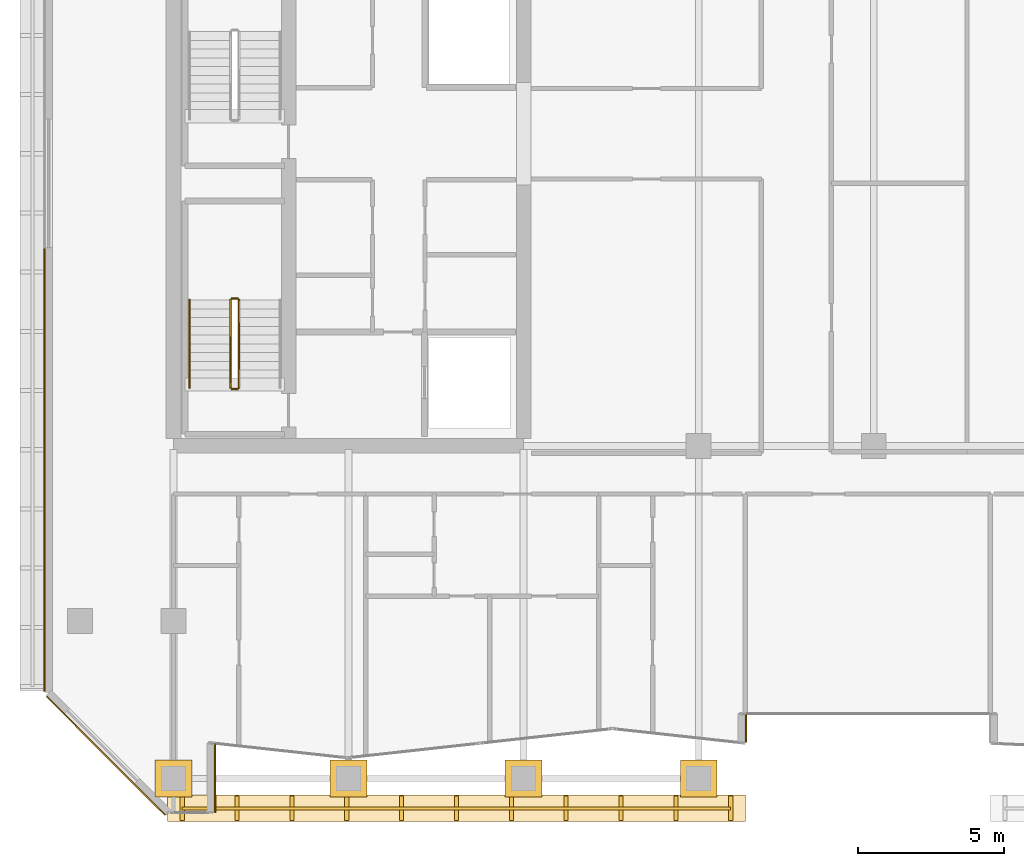
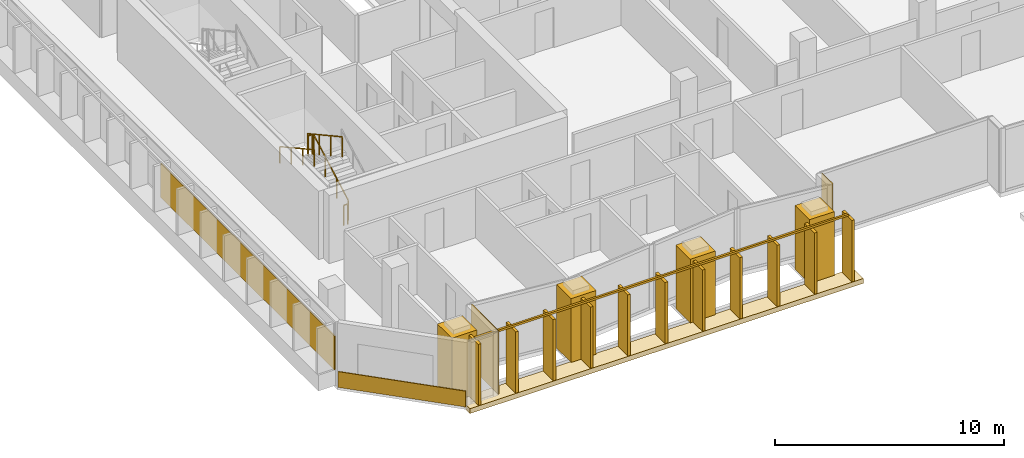
# One storey, part 25 of 29: 9 coverings, 6 railings.
"""IFC4 building model written with IfcOpenShell, lengths in metres."""

from ifc_helpers import new_model, si_unit, direction, frame, origin, origin_2d, place, context, subcontext, project, spatial, rectangle, extrude, material, layer, layer_set, type_object, element, save


model = new_model("IFC4")

# Units and contexts
model_context = context("Model", 3, precision=1e-05, world=origin(), true_north=direction((0.0, 1.0)))
body_context = subcontext(model_context, "Body", "Model", "MODEL_VIEW")
ifc_project = project(units=[si_unit("LENGTHUNIT", "METRE"), si_unit("AREAUNIT", "SQUARE_METRE"), si_unit("VOLUMEUNIT", "CUBIC_METRE"), si_unit("PLANEANGLEUNIT", "RADIAN"), si_unit("MASSUNIT", "GRAM", prefix="KILO")], contexts=[model_context])

# Site, building, storey
site_placement = place(None, origin())
site = spatial("IfcSite", under=ifc_project, at=site_placement, CompositionType="ELEMENT")
building_placement = place(site_placement, origin())
building = spatial("IfcBuilding", under=site, at=building_placement, Name="Tanjung Sevakor Pilgrim Tower", CompositionType="ELEMENT")
storey_placement = place(building_placement, frame((0.0, 0.0, 162.030029296875)))
storey = spatial("IfcBuildingStorey", under=building, at=storey_placement, Name="L45", CompositionType="ELEMENT", Elevation=162.030029296875)

# Coverings
ifc_material_1 = material(Name="Reconstructed Limestone Cladding", Category="masonry")
ifc_layer = layer(ifc_material_1, 0.044921875)
ifc_layer_set = layer_set([ifc_layer], Name="COV-CLAD-LIMESTONE")
covering_type = type_object("IfcCoveringType", Name="COV-CLAD-LIMESTONE", PredefinedType="CLADDING", material=ifc_layer_set)
covering_1_placement = place(storey_placement, frame((25.422607421875, 13.22216796875, 0.02001953125), z_axis=(0.0, 0.0, 1.0), x_axis=(0.0, 1.0, 0.0)))
element("IfcCovering", 1, at=covering_1_placement, inside=storey, type_object=covering_type, Name="L45 Warm Limestone Wall Cladding EW-L45-MAIN-2", PredefinedType="CLADDING", context=body_context, shape_type="SweptSolid", body=[
    extrude(rectangle(XDim=2.3544921875, YDim=0.044921875, at=origin_2d()), origin(), (0.0, 0.0, 1.0), 3.3701171875),
])
covering_2_placement = place(storey_placement, frame((43.62255859375, 14.92236328125, 0.02001953125), z_axis=(0.0, 0.0, 1.0), x_axis=(0.0, 1.0, 0.0)))
element("IfcCovering", 2, at=covering_2_placement, inside=storey, type_object=covering_type, Name="L45 Warm Limestone Wall Cladding EW-L45-MAIN-7", PredefinedType="CLADDING", context=body_context, shape_type="SweptSolid", body=[
    extrude(rectangle(XDim=0.965576171875, YDim=0.044921875, at=origin_2d()), origin(), (0.0, 0.0, 1.0), 3.3701171875),
])
covering_3_placement = place(storey_placement, frame((19.577392578125, 23.77099609375, 0.849853515625), z_axis=(0.0, 0.0, 1.0), x_axis=(0.0, -1.0, 0.0)))
element("IfcCovering", 3, at=covering_3_placement, inside=storey, type_object=covering_type, Name="L45 Warm Limestone Pier Panel EW-L45-MAIN-35-2", PredefinedType="CLADDING", context=body_context, shape_type="SweptSolid", body=[
    extrude(rectangle(XDim=15.158203125, YDim=0.044921875, at=origin_2d()), origin(), (0.0, 0.0, 1.0), 1.81005859375),
])
covering_4_placement = place(storey_placement, frame((21.68408203125, 13.984130859375, 0.009765625), z_axis=(0.0, 0.0, 1.0), x_axis=(0.707106781187, -0.707106781187, 0.0)))
element("IfcCovering", 4, at=covering_4_placement, inside=storey, type_object=covering_type, Name="L45 Warm Limestone Sill Spandrel EW-CHM-L45-MAIN-35-1", PredefinedType="CLADDING", context=body_context, shape_type="SweptSolid", body=[
    extrude(rectangle(XDim=5.756103515625, YDim=0.044921875, at=origin_2d()), origin(), (0.0, 0.0, 1.0), 0.840087890625),
])
for number, where, z_axis, x_axis, name in (
    (5, (24.0, 13.199951171875, 0.01025390625), (0.0, 0.0, 1.0), (1.0, 0.0, 0.0), "L45 Colonnade Pier Limestone Casing 21"),
    (6, (30.0, 13.199951171875, 0.01025390625), (0.0, 0.0, 1.0), (1.0, 0.0, 0.0), "L45 Colonnade Pier Limestone Casing 23"),
    (7, (36.0, 13.199951171875, 0.01025390625), (0.0, 0.0, 1.0), (1.0, 0.0, 0.0), "L45 Colonnade Pier Limestone Casing 25"),
    (8, (42.0, 13.199951171875, 0.01025390625), (0.0, 0.0, 1.0), (1.0, 0.0, 0.0), "L45 Colonnade Pier Limestone Casing 27"),
):
    element("IfcCovering", number, at=place(storey_placement, frame(where, z_axis=z_axis, x_axis=x_axis)), inside=storey, type_object=covering_type, Name=name, PredefinedType="CLADDING", context=body_context, shape_type="SweptSolid", body=[
        extrude(rectangle(XDim=1.260009765625, YDim=1.260009765625, at=origin_2d()), origin(), (0.0, 0.0, 1.0), 3.389892578125),
    ])
covering_5_placement = place(storey_placement, frame((33.699951171875, 12.179931640625, -0.25), z_axis=(0.0, 0.0, 1.0), x_axis=(1.0, 0.0, 0.0)))
element("IfcCovering", 9, at=covering_5_placement, inside=storey, type_object=covering_type, Name="L45 S-Curve Outer Fin Tie Sill SW", PredefinedType="CLADDING", context=body_context, shape_type="SweptSolid", body=[
    extrude(rectangle(XDim=19.800048828125, YDim=0.89990234375, at=origin_2d()), origin(), (0.0, 0.0, 1.0), 0.260009765625),
])

# Railings
ifc_material_2 = material(Name="Anodised Bronze Aluminium 6063-T6", Category="aluminium")
railing_type_1 = type_object("IfcRailingType", Name="RL-FIN-SCREEN", PredefinedType="BALUSTRADE", material=ifc_material_2)
railing_1_placement = place(storey_placement, frame((24.300048828125, 12.179931640625, 0.0)))
element("IfcRailing", 10, at=railing_1_placement, inside=storey, type_object=railing_type_1, Name="L45 Vertical Bronze-Gold Solar Fin Screen FN-SCGAP-L45-SW-1", PredefinedType="BALUSTRADE", context=body_context, shape_type="SweptSolid", body=[
    extrude(rectangle(XDim=0.105, YDim=0.105), frame((0.0, 0.0, 3.317626953125), z_axis=(1.0, 0.0, 0.0), x_axis=(0.0, 1.0, 0.0)), (0.0, 0.0, 1.0), 18.800048828125),
    extrude(rectangle(XDim=0.14, YDim=0.85), origin(), (0.0, 0.0, 1.0), 3.26513671875),
    extrude(rectangle(XDim=0.14, YDim=0.85), frame((1.8798828125, 0.0, 0.0)), (0.0, 0.0, 1.0), 3.26513671875),
    extrude(rectangle(XDim=0.14, YDim=0.85), frame((3.760009765625, 0.0, 0.0)), (0.0, 0.0, 1.0), 3.26513671875),
    extrude(rectangle(XDim=0.14, YDim=0.85), frame((5.64013671875, 0.0, 0.0)), (0.0, 0.0, 1.0), 3.26513671875),
    extrude(rectangle(XDim=0.14, YDim=0.85), frame((7.52001953125, 0.0, 0.0)), (0.0, 0.0, 1.0), 3.26513671875),
    extrude(rectangle(XDim=0.14, YDim=0.85), frame((9.39990234375, 0.0, 0.0)), (0.0, 0.0, 1.0), 3.26513671875),
    extrude(rectangle(XDim=0.14, YDim=0.85), frame((11.280029296875, 0.0, 0.0)), (0.0, 0.0, 1.0), 3.26513671875),
    extrude(rectangle(XDim=0.14, YDim=0.85), frame((13.16015625, 0.0, 0.0)), (0.0, 0.0, 1.0), 3.26513671875),
    extrude(rectangle(XDim=0.14, YDim=0.85), frame((15.0400390625, 0.0, 0.0)), (0.0, 0.0, 1.0), 3.26513671875),
    extrude(rectangle(XDim=0.14, YDim=0.85), frame((16.919921875, 0.0, 0.0)), (0.0, 0.0, 1.0), 3.26513671875),
    extrude(rectangle(XDim=0.14, YDim=0.85), frame((18.800048828125, 0.0, 0.0)), (0.0, 0.0, 1.0), 3.26513671875),
])
ifc_material_3 = material(Name="Steel S355J2", Category="steel")
railing_type_2 = type_object("IfcRailingType", Name="RL-STAIR-GUARD", PredefinedType="GUARDRAIL", material=ifc_material_3)
railing_2_placement = place(storey_placement, frame((26.25, 26.60009765625, 0.1650390625)))
element("IfcRailing", 11, at=railing_2_placement, inside=storey, type_object=railing_type_2, Name="L45 TS-W1 stair guard 1", PredefinedType="GUARDRAIL", context=body_context, shape_type="SweptSolid", body=[
    extrude(rectangle(XDim=0.0479, YDim=0.0479), frame((0.0, 0.0, 1.076171875), z_axis=(0.0, 0.876227952683, 0.48189685093), x_axis=(-1.0, 0.0, 0.0)), (0.0, 0.0, 1.0), 3.423828125),
    extrude(rectangle(XDim=0.042, YDim=0.042), origin(), (0.0, 0.0, 1.0), 1.052001953125),
    extrude(rectangle(XDim=0.042, YDim=0.042), frame((0.0, 1.0, 0.550048828125)), (0.0, 0.0, 1.0), 1.052001953125),
    extrude(rectangle(XDim=0.042, YDim=0.042), frame((0.0, 2.0, 1.099853515625)), (0.0, 0.0, 1.0), 1.052001953125),
    extrude(rectangle(XDim=0.042, YDim=0.042), frame((0.0, 3.0, 1.64990234375)), (0.0, 0.0, 1.0), 1.052001953125),
])
railing_3_placement = place(storey_placement, frame((26.199951171875, 29.64990234375, 1.81494140625)))
element("IfcRailing", 12, at=railing_3_placement, inside=storey, type_object=railing_type_2, Name="L45 TS-W1 stair guard 2", PredefinedType="GUARDRAIL", context=body_context, shape_type="SweptSolid", body=[
    extrude(rectangle(XDim=0.0479, YDim=0.0479), frame((0.0, 0.0, 1.076171875), z_axis=(-1.0, 0.0, 0.0), x_axis=(0.0, -1.0, 0.0)), (0.0, 0.0, 1.0), 0.199951171875),
    extrude(rectangle(XDim=0.042, YDim=0.042), origin(), (0.0, 0.0, 1.0), 1.052001953125),
    extrude(rectangle(XDim=0.042, YDim=0.042), frame((-0.199951171875, 0.0, 0.0)), (0.0, 0.0, 1.0), 1.052001953125),
])
railing_4_placement = place(storey_placement, frame((25.949951171875, 29.60009765625, 1.97998046875)))
element("IfcRailing", 13, at=railing_4_placement, inside=storey, type_object=railing_type_2, Name="L45 TS-W1 stair guard 3", PredefinedType="GUARDRAIL", context=body_context, shape_type="SweptSolid", body=[
    extrude(rectangle(XDim=0.0479, YDim=0.0479), frame((0.0, 0.0, 1.076171875), z_axis=(0.0, -0.876227952683, 0.48189685093), x_axis=(1.0, 0.0, 0.0)), (0.0, 0.0, 1.0), 3.423828125),
    extrude(rectangle(XDim=0.042, YDim=0.042), origin(), (0.0, 0.0, 1.0), 1.052001953125),
    extrude(rectangle(XDim=0.042, YDim=0.042), frame((0.0, -1.0, 0.550048828125)), (0.0, 0.0, 1.0), 1.052001953125),
    extrude(rectangle(XDim=0.042, YDim=0.042), frame((0.0, -2.0, 1.099853515625)), (0.0, 0.0, 1.0), 1.052001953125),
    extrude(rectangle(XDim=0.042, YDim=0.042), frame((0.0, -3.0, 1.64990234375)), (0.0, 0.0, 1.0), 1.052001953125),
])
railing_5_placement = place(storey_placement, frame((26.199951171875, 26.550048828125, 0.0)))
element("IfcRailing", 14, at=railing_5_placement, inside=storey, type_object=railing_type_2, Name="L45 TS-W1 stair guard 4", PredefinedType="GUARDRAIL", context=body_context, shape_type="SweptSolid", body=[
    extrude(rectangle(XDim=0.0479, YDim=0.0479), frame((0.0, 0.0, 1.076171875), z_axis=(-1.0, 0.0, 0.0), x_axis=(0.0, -1.0, 0.0)), (0.0, 0.0, 1.0), 0.199951171875),
    extrude(rectangle(XDim=0.042, YDim=0.042), origin(), (0.0, 0.0, 1.0), 1.052001953125),
    extrude(rectangle(XDim=0.042, YDim=0.042), frame((-0.199951171875, 0.0, 0.0)), (0.0, 0.0, 1.0), 1.052001953125),
])
ifc_material_4 = material(Name="Steel S355J2", Category="steel")
railing_type_3 = type_object("IfcRailingType", Name="RL-STAIR-HAND", PredefinedType="HANDRAIL", material=ifc_material_4)
railing_6_placement = place(storey_placement, frame((24.550048828125, 29.60009765625, 1.97998046875)))
element("IfcRailing", 15, at=railing_6_placement, inside=storey, type_object=railing_type_3, Name="L45 TS-W1 stair handrail 2", PredefinedType="HANDRAIL", context=body_context, shape_type="SweptSolid", body=[
    extrude(rectangle(XDim=0.0479, YDim=0.0479), frame((0.0, 0.0, 0.8759765625), z_axis=(0.0, -0.876227952683, 0.48189685093), x_axis=(1.0, 0.0, 0.0)), (0.0, 0.0, 1.0), 3.423828125),
    extrude(rectangle(XDim=0.042, YDim=0.042), origin(), (0.0, 0.0, 1.0), 0.851806640625),
    extrude(rectangle(XDim=0.042, YDim=0.042), frame((0.0, -1.0, 0.550048828125)), (0.0, 0.0, 1.0), 0.851806640625),
    extrude(rectangle(XDim=0.042, YDim=0.042), frame((0.0, -2.0, 1.099853515625)), (0.0, 0.0, 1.0), 0.851806640625),
    extrude(rectangle(XDim=0.042, YDim=0.042), frame((0.0, -3.0, 1.64990234375)), (0.0, 0.0, 1.0), 0.851806640625),
])

save(model, "model.ifc")
